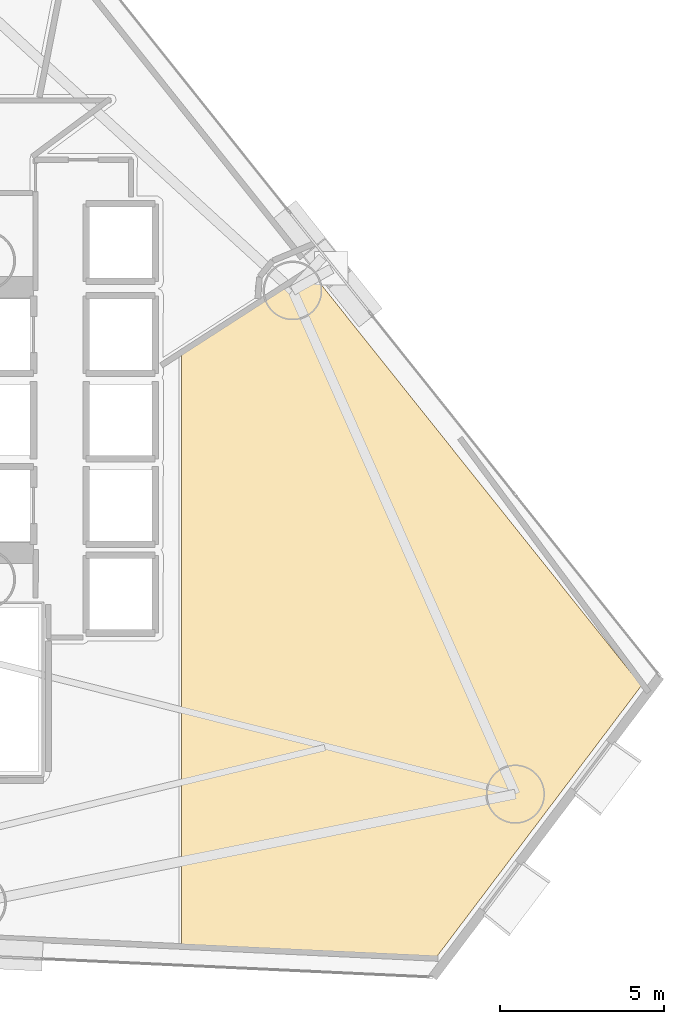
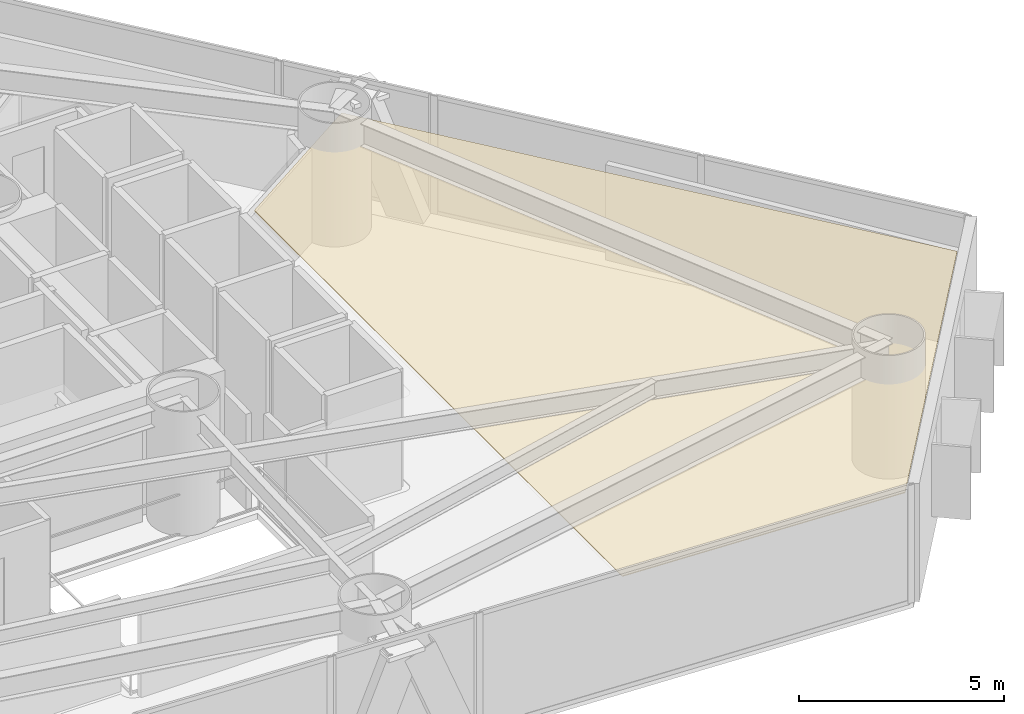
# One storey, part 23 of 23: 1 covering.
"""IFC4 building model written with IfcOpenShell, lengths in metres."""

from ifc_helpers import new_model, si_unit, direction, frame, origin, place, context, subcontext, project, spatial, polyline, outline, extrude, material, layer, layer_set, type_object, element, save


model = new_model("IFC4")

# Units and contexts
model_context = context("Model", 3, precision=1e-05, world=origin(), true_north=direction((0.0, 1.0)))
body_context = subcontext(model_context, "Body", "Model", "MODEL_VIEW")
ifc_project = project(units=[si_unit("LENGTHUNIT", "METRE"), si_unit("AREAUNIT", "SQUARE_METRE"), si_unit("VOLUMEUNIT", "CUBIC_METRE"), si_unit("PLANEANGLEUNIT", "RADIAN"), si_unit("MASSUNIT", "GRAM", prefix="KILO")], contexts=[model_context])

# Site, building, storey
site_placement = place(None, origin())
site = spatial("IfcSite", under=ifc_project, at=site_placement, CompositionType="ELEMENT")
building_placement = place(site_placement, origin())
building = spatial("IfcBuilding", under=site, at=building_placement, Name="Qianvela Tower", CompositionType="ELEMENT")
storey_placement = place(building_placement, frame((0.0, 0.0, 29.39990234375)))
storey = spatial("IfcBuildingStorey", under=building, at=storey_placement, Name="L06", CompositionType="ELEMENT", Elevation=29.39990234375)

# Covering
ifc_material = material(Name="Perforated Mineral Acoustic Ceiling Tile")
ifc_layer = layer(ifc_material, 0.02490234375)
ifc_layer_set = layer_set([ifc_layer], Name="Perforated Mineral Acoustic Ceiling Tile")
covering_type = type_object("IfcCoveringType", Name="COV-CEIL-ACOUSTIC-25", PredefinedType="CEILING", material=ifc_layer_set)
covering_placement = place(storey_placement, frame((0.0, 0.0, 2.815185546875)))
element("IfcCovering", 1, at=covering_placement, inside=storey, type_object=covering_type, Name="L06 Acoustic Ceiling Bay 2 Student Tea Pantry L06-02", PredefinedType="CEILING", context=body_context, shape_type="SweptSolid", body=[
    extrude(outline(polyline([(48.276611328125, 33.230712890625), (58.348388671875, 20.617431640625), (52.11669921875, 12.36669921875), (44.356201171875, 12.73095703125), (44.356201171875, 30.703125), (48.276611328125, 33.230712890625)])), origin(), (0.0, 0.0, 1.0), 0.02490234375),
])

save(model, "model.ifc")
